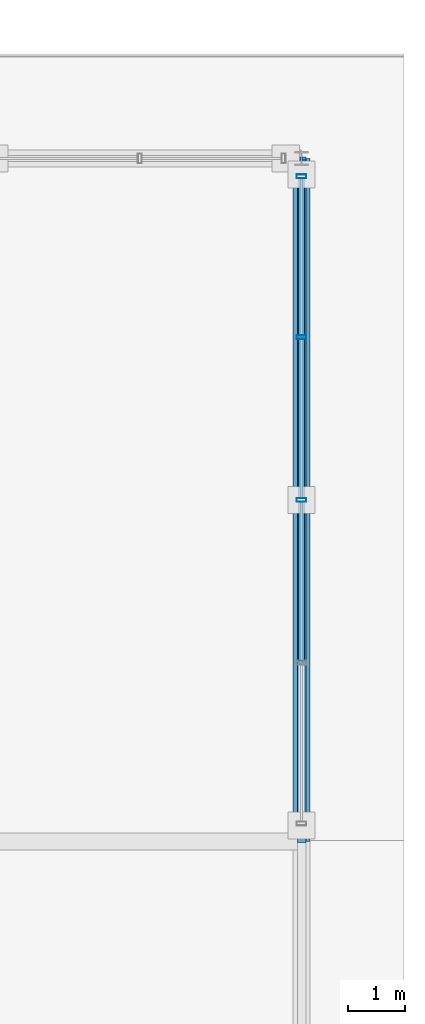
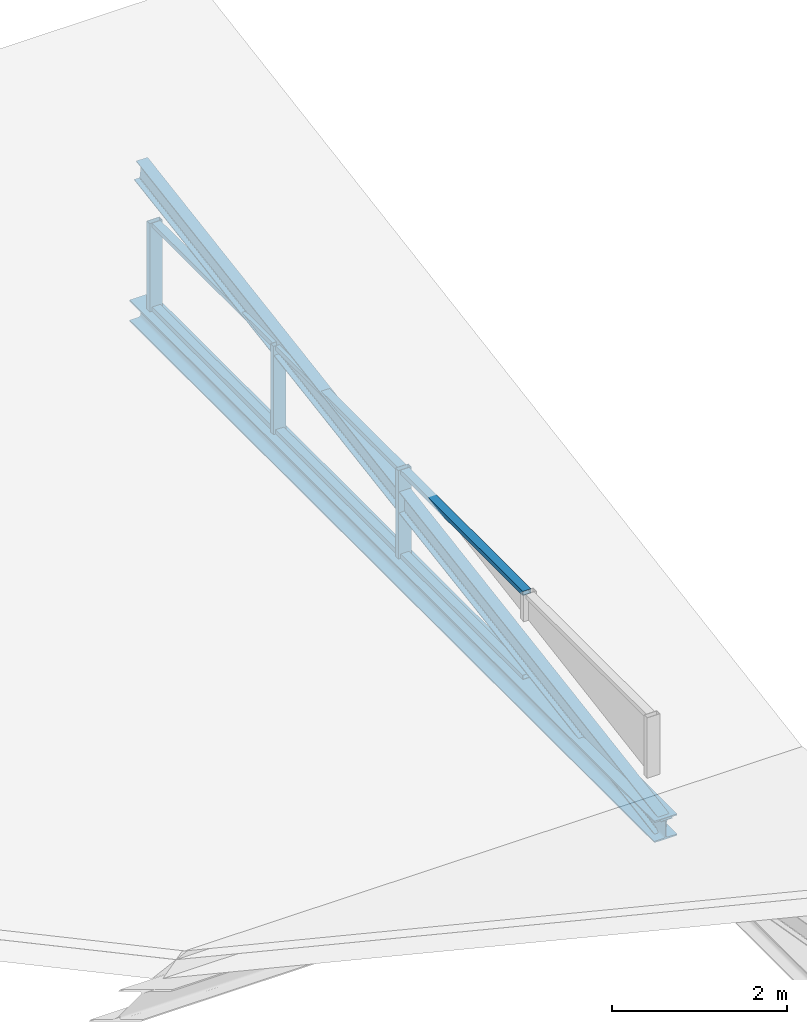
# One storey, part 87 of 117: 10 members, 1 beam, 1 element without a shape of its own.
"""IFC4 building model written with IfcOpenShell, lengths in metres."""

import ifcopenshell
import ifcopenshell.guid

model = None  # the IFC model being written
_history = None  # IfcOwnerHistory: only IFC2X3 demands one
_inside = {}  # id of a spatial element -> (the spatial element, [elements in it])
_under = {}  # id of a project, library or spatial element -> (it, [spatial elements below it])
_declared = {}  # id of a project -> (the project, [libraries it declares])
_typed = {}  # id of a type object -> (the type object, [elements of that type])
_made_of = {}  # id of a material, layer set ... -> (it, [elements and type objects made of it])


def new_model(schema):
    """Start an empty IFC model of exactly this schema.

    Asked for "IFC4X3", IfcOpenShell would pick the latest addendum, in which some entities
    have other attributes; the version numbers below select the first issue.
    IFC2X3 requires an IfcOwnerHistory on every rooted entity: one is made here for all.
    """
    global model, _history
    if schema == "IFC4X3":
        model = ifcopenshell.file(schema_version=(4, 3, 0, 0))
    else:
        model = ifcopenshell.file(schema=schema)
    _inside.clear()
    _under.clear()
    _declared.clear()
    _typed.clear()
    _made_of.clear()
    _history = None
    if model.schema == "IFC2X3":
        org = make("IfcOrganization", Name="unknown")
        user = make(
            "IfcPersonAndOrganization",
            ThePerson=make("IfcPerson", FamilyName="unknown"),
            TheOrganization=org,
        )
        app = make(
            "IfcApplication",
            ApplicationDeveloper=org,
            Version="unknown",
            ApplicationFullName="unknown",
            ApplicationIdentifier="unknown",
        )
        _history = make(
            "IfcOwnerHistory",
            OwningUser=user,
            OwningApplication=app,
            ChangeAction="ADDED",
            CreationDate=0,
        )
    return model


def make(cls, **values):
    """One entity of the class cls with the attributes given. An attribute that is None is left unset."""
    return model.create_entity(
        cls, **{name: value for name, value in values.items() if value is not None}
    )


def rooted(cls, **values):
    """An entity with a GlobalId (a new one), such as an element, a storey or a relation."""
    return make(cls, GlobalId=ifcopenshell.guid.new(), OwnerHistory=_history, **values)


def si_unit(unit_type, name, prefix=None):
    """IfcSIUnit, for example si_unit("LENGTHUNIT", "METRE", prefix="MILLI")."""
    return make("IfcSIUnit", UnitType=unit_type, Prefix=prefix, Name=name)


def assignment(units):
    """IfcUnitAssignment: the units of a project."""
    return None if units is None else make("IfcUnitAssignment", Units=units)


def point(xyz):
    """IfcCartesianPoint."""
    return None if xyz is None else make("IfcCartesianPoint", Coordinates=xyz)


def direction(xyz):
    """IfcDirection."""
    return None if xyz is None else make("IfcDirection", DirectionRatios=xyz)


def frame(location, z_axis=None, x_axis=None):
    """IfcAxis2Placement3D, a coordinate frame: its origin and axes. An axis left out is left unset."""
    return make(
        "IfcAxis2Placement3D",
        Location=point(location),
        Axis=direction(z_axis),
        RefDirection=direction(x_axis),
    )


def frame_2d(location, x_axis=None):
    """IfcAxis2Placement2D, a coordinate frame in the plane: its origin and x axis."""
    return make(
        "IfcAxis2Placement2D", Location=point(location), RefDirection=direction(x_axis)
    )


def origin():
    """The frame at (0, 0, 0) with its axes left unset."""
    return frame((0.0, 0.0, 0.0))


def origin_2d():
    """The frame at (0, 0) in the plane with its x axis left unset."""
    return frame_2d((0.0, 0.0))


def place(relative_to, where):
    """IfcLocalPlacement: puts the frame where relative to a parent placement (None: the world)."""
    return make(
        "IfcLocalPlacement", PlacementRelTo=relative_to, RelativePlacement=where
    )


def context(
    kind, dimensions, precision=None, world=None, true_north=None, identifier=None
):
    """IfcGeometricRepresentationContext, for example the 3D "Model" context."""
    return make(
        "IfcGeometricRepresentationContext",
        ContextIdentifier=identifier,
        ContextType=kind,
        CoordinateSpaceDimension=dimensions,
        Precision=precision,
        WorldCoordinateSystem=world,
        TrueNorth=true_north,
    )


def subcontext(parent, identifier, kind, view, scale=None):
    """IfcGeometricRepresentationSubContext, for example "Body" below "Model"."""
    return make(
        "IfcGeometricRepresentationSubContext",
        ContextIdentifier=identifier,
        ContextType=kind,
        ParentContext=parent,
        TargetScale=scale,
        TargetView=view,
    )


def project(units=None, contexts=None):
    """IfcProject with its units and contexts."""
    return rooted(
        "IfcProject",
        Name="project",
        RepresentationContexts=contexts,
        UnitsInContext=assignment(units),
    )


def spatial(cls, under=None, at=None, **own):
    """A site, building, storey or space (cls), placed at a placement, below another one or the project."""
    s = rooted(cls, ObjectPlacement=at, **own)
    if under is not None:
        _under.setdefault(under.id(), (under, []))[1].append(s)
    return s


def profile(cls, at=None, kind="AREA", **sizes):
    """A parametric profile (cls). Its sizes go by their IFC names, for example OverallWidth=200.0."""
    return make(cls, ProfileType=kind, Position=at, **sizes)


def hollow_rectangle(**sizes):
    """IfcRectangleHollowProfileDef."""
    return profile("IfcRectangleHollowProfileDef", **sizes)


def i_section(**sizes):
    """IfcIShapeProfileDef."""
    return profile("IfcIShapeProfileDef", **sizes)


def extrude(swept, where, along, depth):
    """IfcExtrudedAreaSolid: the profile swept, set in the frame where, extruded along a direction by depth."""
    return make(
        "IfcExtrudedAreaSolid",
        SweptArea=swept,
        Position=where,
        ExtrudedDirection=direction(along),
        Depth=depth,
    )


def shape(context_of_items, identifier, shape_type, items):
    """IfcShapeRepresentation: the items that make up one representation, for example the "Body"."""
    return make(
        "IfcShapeRepresentation",
        ContextOfItems=context_of_items,
        RepresentationIdentifier=identifier,
        RepresentationType=shape_type,
        Items=items,
    )


def material(Name=None, Category=None):
    """IfcMaterial."""
    return make("IfcMaterial", Name=Name, Category=Category)


def material_profile(
    of_material, cross_section, Name=None, Category=None, Priority=None
):
    """IfcMaterialProfile: a cross section and its material."""
    return make(
        "IfcMaterialProfile",
        Name=Name,
        Material=of_material,
        Profile=cross_section,
        Priority=Priority,
        Category=Category,
    )


def profile_set(profiles, Name=None, composite=None):
    """IfcMaterialProfileSet."""
    return make(
        "IfcMaterialProfileSet",
        Name=Name,
        MaterialProfiles=profiles,
        CompositeProfile=composite,
    )


def made_of(thing, what):
    """Note that an element or type object is made of a material, layer set ...; save() writes the relation."""
    if what is not None:
        _made_of.setdefault(what.id(), (what, []))[1].append(thing)
    return thing


def type_object(cls, material=None, **own):
    """A type object (cls), such as IfcWallType, which elements share."""
    return made_of(rooted(cls, **own), material)


def element(
    cls,
    number,
    at=None,
    inside=None,
    cuts=None,
    type_object=None,
    material=None,
    context=None,
    identifier="Body",
    shape_type=None,
    held_by="IfcProductDefinitionShape",
    body=None,
    shapes=None,
    **own,
):
    """One element of the class cls, such as IfcWall. Its Tag is "e" and its number.

    at: its placement. inside: the storey or other place that contains it. cuts: it is an
    opening in that element (IfcRelVoidsElement). A single representation is given by context,
    identifier, shape_type and body (its items); several are given by shapes. held_by: the class
    of the entity that holds the representations. save() writes the other relations.
    """
    e = rooted(cls, Tag="e%d" % number, ObjectPlacement=at, **own)
    if body is not None:
        shapes = [shape(context, identifier, shape_type, body)]
    if shapes is not None:
        e.Representation = make(held_by, Representations=shapes)
    if inside is not None:
        _inside.setdefault(inside.id(), (inside, []))[1].append(e)
    if cuts is not None:
        rooted(
            "IfcRelVoidsElement", RelatingBuildingElement=cuts, RelatedOpeningElement=e
        )
    if type_object is not None:
        _typed.setdefault(type_object.id(), (type_object, []))[1].append(e)
    return made_of(e, material)


def aggregate(whole, parts):
    """IfcRelAggregates: a whole, such as a stair, and the parts it consists of."""
    return rooted("IfcRelAggregates", RelatingObject=whole, RelatedObjects=parts)


def save(model, path):
    """Write the relations noted so far, then the file.

    IfcRelAggregates (storeys below a building ...), IfcRelContainedInSpatialStructure (elements
    in a storey), IfcRelDefinesByType, IfcRelAssociatesMaterial and IfcRelDeclares: one each for
    every whole, place, type object, material and project.
    """
    for whole, parts in _under.values():
        aggregate(whole, parts)
    for where, things in _inside.values():
        rooted(
            "IfcRelContainedInSpatialStructure",
            RelatedElements=things,
            RelatingStructure=where,
        )
    for kind, things in _typed.values():
        rooted("IfcRelDefinesByType", RelatedObjects=things, RelatingType=kind)
    for what, things in _made_of.values():
        rooted("IfcRelAssociatesMaterial", RelatedObjects=things, RelatingMaterial=what)
    for by, libraries in _declared.values():
        rooted("IfcRelDeclares", RelatingContext=by, RelatedDefinitions=libraries)
    model.write(path)


model = new_model("IFC4")

# Units and contexts
model_context = context("Model", 3, precision=1e-05, world=origin(), true_north=direction((0.0, 1.0)))
body_context = subcontext(model_context, "Body", "Model", "MODEL_VIEW")
ifc_project = project(units=[si_unit("LENGTHUNIT", "METRE"), si_unit("AREAUNIT", "SQUARE_METRE"), si_unit("VOLUMEUNIT", "CUBIC_METRE"), si_unit("PLANEANGLEUNIT", "RADIAN"), si_unit("MASSUNIT", "GRAM", prefix="KILO")], contexts=[model_context])

# Site, building, storey
site_placement = place(None, origin())
site = spatial("IfcSite", under=ifc_project, at=site_placement, CompositionType="ELEMENT")
building_placement = place(site_placement, origin())
building = spatial("IfcBuilding", under=site, at=building_placement, Name="Merenkruunu Market Hall", CompositionType="ELEMENT")
storey_placement = place(building_placement, frame((0.0, 0.0, 10.199951171875)))
storey = spatial("IfcBuildingStorey", under=building, at=storey_placement, Name="L02", CompositionType="ELEMENT", Elevation=10.199951171875)

# Curtain wall, members
ifc_material_1 = material(Name="Powder-coated aluminium", Category="aluminium")
curtain_wall_type = type_object("IfcCurtainWallType", Name="Clerestory Curtain Band CL03", PredefinedType="USERDEFINED", material=ifc_material_1)
curtain_wall_placement = place(storey_placement, origin())
curtain_wall = element("IfcCurtainWall", 1, at=curtain_wall_placement, inside=storey, type_object=curtain_wall_type, Name="CW-L02-CWM04-235", ObjectType="CLERESTORY_BAND", PredefinedType="USERDEFINED")
ifc_material_profile_1 = material_profile(ifc_material_1, hollow_rectangle(XDim=0.070068359375, YDim=0.169921875, WallThickness=0.0048828125, at=origin_2d()), Name="ALU 70x170x5")
ifc_profile_set_1 = profile_set([ifc_material_profile_1], Name="Powder-coated aluminium")
member_type_1 = type_object("IfcMemberType", Name="Curtain Wall Mullion CWM04", PredefinedType="MULLION", material=ifc_profile_set_1)
member_1_placement = place(storey_placement, frame((192.0, 63.284912109375, 0.02001953125), z_axis=(0.0, 0.0, 1.0), x_axis=(0.0, -1.0, 0.0)))
member_1 = element("IfcMember", 2, at=member_1_placement, type_object=member_type_1, Name="CL03 mullion 1", PredefinedType="MULLION", context=body_context, shape_type="SweptSolid", body=[
    extrude(hollow_rectangle(XDim=0.070068359375, YDim=0.169921875, WallThickness=0.0048828125, at=origin_2d()), origin(), (0.0, 0.0, 1.0), 1.22998046875),
])
member_2_placement = place(storey_placement, frame((192.0, 60.4599609375, 0.02001953125), z_axis=(0.0, 0.0, 1.0), x_axis=(0.0, -1.0, 0.0)))
member_2 = element("IfcMember", 3, at=member_2_placement, type_object=member_type_1, Name="CL03 mullion 2", PredefinedType="MULLION", context=body_context, shape_type="SweptSolid", body=[
    extrude(hollow_rectangle(XDim=0.070068359375, YDim=0.169921875, WallThickness=0.0048828125, at=origin_2d()), origin(), (0.0, 0.0, 1.0), 1.22998046875),
])
member_3_placement = place(storey_placement, frame((192.0, 57.60009765625, 0.02001953125), z_axis=(0.0, 0.0, 1.0), x_axis=(0.0, -1.0, 0.0)))
member_3 = element("IfcMember", 4, at=member_3_placement, type_object=member_type_1, Name="CL03 mullion 3", PredefinedType="MULLION", context=body_context, shape_type="SweptSolid", body=[
    extrude(hollow_rectangle(XDim=0.070068359375, YDim=0.169921875, WallThickness=0.0048828125, at=origin_2d()), origin(), (0.0, 0.0, 1.0), 1.22998046875),
])
ifc_material_profile_2 = material_profile(ifc_material_1, hollow_rectangle(XDim=0.06005859375, YDim=0.110107421875, WallThickness=0.00390625, at=origin_2d()), Name="ALU 60x110x4")
ifc_profile_set_2 = profile_set([ifc_material_profile_2], Name="Powder-coated aluminium")
member_type_2 = type_object("IfcMemberType", Name="Curtain Wall Transom CWT03", PredefinedType="USERDEFINED", material=ifc_profile_set_2)
member_4_placement = place(storey_placement, frame((192.0, 63.25, 0.050048828125), z_axis=(0.0, -1.0, 0.0), x_axis=(0.0, 0.0, 1.0)))
member_4 = element("IfcMember", 5, at=member_4_placement, type_object=member_type_2, Name="CL03 transom 1.1", ObjectType="TRANSOM", PredefinedType="USERDEFINED", context=body_context, shape_type="SweptSolid", body=[
    extrude(hollow_rectangle(XDim=0.06005859375, YDim=0.110107421875, WallThickness=0.00390625, at=origin_2d()), origin(), (0.0, 0.0, 1.0), 2.7548828125),
])
member_5_placement = place(storey_placement, frame((192.0, 63.25, 1.219970703125), z_axis=(0.0, -1.0, 0.0), x_axis=(0.0, 0.0, 1.0)))
member_5 = element("IfcMember", 6, at=member_5_placement, type_object=member_type_2, Name="CL03 transom 1.2", ObjectType="TRANSOM", PredefinedType="USERDEFINED", context=body_context, shape_type="SweptSolid", body=[
    extrude(hollow_rectangle(XDim=0.06005859375, YDim=0.110107421875, WallThickness=0.00390625, at=origin_2d()), origin(), (0.0, 0.0, 1.0), 2.7548828125),
])
member_6_placement = place(storey_placement, frame((192.0, 60.425048828125, 0.050048828125), z_axis=(0.0, -1.0, 0.0), x_axis=(0.0, 0.0, 1.0)))
member_6 = element("IfcMember", 7, at=member_6_placement, type_object=member_type_2, Name="CL03 transom 2.1", ObjectType="TRANSOM", PredefinedType="USERDEFINED", context=body_context, shape_type="SweptSolid", body=[
    extrude(hollow_rectangle(XDim=0.06005859375, YDim=0.110107421875, WallThickness=0.00390625, at=origin_2d()), origin(), (0.0, 0.0, 1.0), 2.7900390625),
])
member_7_placement = place(storey_placement, frame((192.0, 60.425048828125, 1.219970703125), z_axis=(0.0, -1.0, 0.0), x_axis=(0.0, 0.0, 1.0)))
member_7 = element("IfcMember", 8, at=member_7_placement, type_object=member_type_2, Name="CL03 transom 2.2", ObjectType="TRANSOM", PredefinedType="USERDEFINED", context=body_context, shape_type="SweptSolid", body=[
    extrude(hollow_rectangle(XDim=0.06005859375, YDim=0.110107421875, WallThickness=0.00390625, at=origin_2d()), origin(), (0.0, 0.0, 1.0), 2.7900390625),
])
member_8_placement = place(storey_placement, frame((192.0, 57.56494140625, 0.050048828125), z_axis=(0.0, -1.0, 0.0), x_axis=(0.0, 0.0, 1.0)))
member_8 = element("IfcMember", 9, at=member_8_placement, type_object=member_type_2, Name="CL03 transom 3.1", ObjectType="TRANSOM", PredefinedType="USERDEFINED", context=body_context, shape_type="SweptSolid", body=[
    extrude(hollow_rectangle(XDim=0.06005859375, YDim=0.110107421875, WallThickness=0.00390625, at=origin_2d()), origin(), (0.0, 0.0, 1.0), 2.7900390625),
])
member_9_placement = place(storey_placement, frame((192.0, 57.56494140625, 1.219970703125), z_axis=(0.0, -1.0, 0.0), x_axis=(0.0, 0.0, 1.0)))
member_9 = element("IfcMember", 10, at=member_9_placement, type_object=member_type_2, Name="CL03 transom 3.2", ObjectType="TRANSOM", PredefinedType="USERDEFINED", context=body_context, shape_type="SweptSolid", body=[
    extrude(hollow_rectangle(XDim=0.06005859375, YDim=0.110107421875, WallThickness=0.00390625, at=origin_2d()), origin(), (0.0, 0.0, 1.0), 2.7900390625),
])
aggregate(curtain_wall, [member_1, member_2, member_3, member_4, member_5, member_6, member_7, member_8, member_9])

# Beam
ifc_material_2 = material(Name="Steel S355J2", Category="steel")
ifc_material_profile_3 = material_profile(ifc_material_2, i_section(OverallWidth=0.300048828125, OverallDepth=0.300048828125, WebThickness=0.010986328125, FlangeThickness=0.01904296875, FilletRadius=0.027099609375, at=origin_2d()), Name="HEB 300")
ifc_profile_set_3 = profile_set([ifc_material_profile_3], Name="Steel S355J2")
beam_type = type_object("IfcBeamType", Name="Primary Floor Girder B05", PredefinedType="BEAM", material=ifc_profile_set_3)
beam_placement = place(storey_placement, frame((192.0, 51.60009765625, -0.14990234375), z_axis=(0.0, 1.0, 0.0), x_axis=(-1.0, 0.0, 0.0)))
element("IfcBeam", 11, at=beam_placement, inside=storey, type_object=beam_type, Name="BM-L02-B05-1063", PredefinedType="BEAM", context=body_context, shape_type="SweptSolid", body=[
    extrude(i_section(OverallWidth=0.300048828125, OverallDepth=0.300048828125, WebThickness=0.010986328125, FlangeThickness=0.01904296875, FilletRadius=0.027099609375, at=origin_2d()), origin(), (0.0, 0.0, 1.0), 12.0),
])

# Member
ifc_material_3 = material(Name="Steel S355ML", Category="steel")
ifc_material_profile_4 = material_profile(ifc_material_3, i_section(OverallWidth=0.14990234375, OverallDepth=0.300048828125, WebThickness=0.007080078125, FlangeThickness=0.0107421875, FilletRadius=0.014892578125, at=origin_2d()), Name="IPE 300")
ifc_profile_set_4 = profile_set([ifc_material_profile_4], Name="Steel S355ML")
member_type_3 = type_object("IfcMemberType", Name="Roof Purlin Rafter PR01", PredefinedType="PURLIN", material=ifc_profile_set_4)
member_10_placement = place(storey_placement, frame((192.0, 51.60009765625, -0.159912109375), z_axis=(0.0, 0.987183410417, 0.159589831119), x_axis=(-1.0, 0.0, 0.0)))
element("IfcMember", 12, at=member_10_placement, inside=storey, type_object=member_type_3, Name="MEM-V3BF-RN-192", PredefinedType="PURLIN", context=body_context, shape_type="SweptSolid", body=[
    extrude(i_section(OverallWidth=0.14990234375, OverallDepth=0.300048828125, WebThickness=0.007080078125, FlangeThickness=0.0107421875, FilletRadius=0.014892578125, at=origin_2d()), origin(), (0.0, 0.0, 1.0), 12.15576171875),
])

save(model, "model.ifc")
